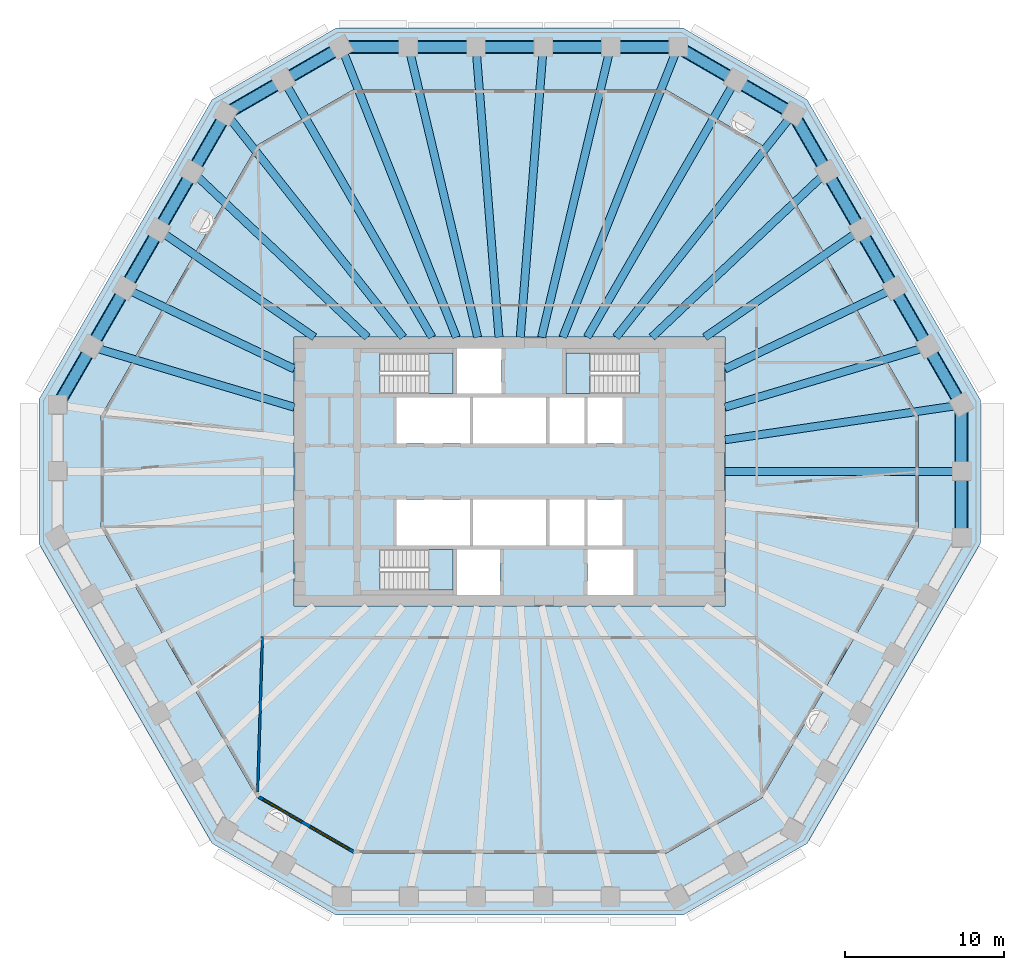
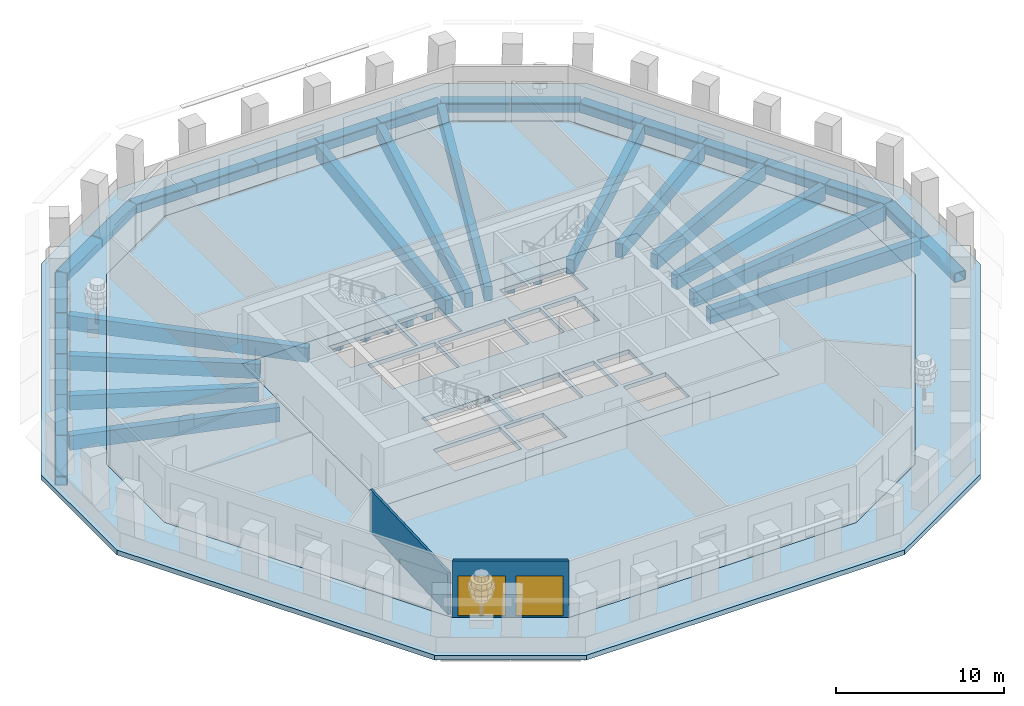
# One storey, part 2 of 12: 41 beams, 6 slabs, 2 walls, 2 windows, 2 openings, 3 elements without a shape of their own.
"""IFC4 building model written with IfcOpenShell, lengths in metres."""

from ifc_helpers import new_model, si_unit, direction, frame, frame_2d, origin, origin_2d, place, context, subcontext, project, spatial, polyline, rectangle, hollow_rectangle, outline, extrude, material, layer, layer_set, material_profile, profile_set, type_object, element, fill, aggregate, save


model = new_model("IFC4")

# Units and contexts
model_context = context("Model", 3, precision=1e-05, world=origin(), true_north=direction((0.0, 1.0)))
body_context = subcontext(model_context, "Body", "Model", "MODEL_VIEW")
ifc_project = project(units=[si_unit("LENGTHUNIT", "METRE"), si_unit("AREAUNIT", "SQUARE_METRE"), si_unit("VOLUMEUNIT", "CUBIC_METRE"), si_unit("PLANEANGLEUNIT", "RADIAN"), si_unit("MASSUNIT", "GRAM", prefix="KILO")], contexts=[model_context])

# Site, building, storey
site_placement = place(None, origin())
site = spatial("IfcSite", under=ifc_project, at=site_placement, CompositionType="ELEMENT")
building_placement = place(site_placement, origin())
building = spatial("IfcBuilding", under=site, at=building_placement, Name="Frailejon Research Tower", CompositionType="ELEMENT")
storey_placement = place(building_placement, frame((0.0, 0.0, 145.199951171875)))
storey = spatial("IfcBuildingStorey", under=building, at=storey_placement, Name="L31", CompositionType="ELEMENT", Elevation=145.199951171875)

# Beams
ifc_material_1 = material(Name="Concrete C60/75", Category="concrete")
ifc_material_profile_1 = material_profile(ifc_material_1, rectangle(XDim=0.5, YDim=1.050048828125, at=origin_2d()), Name="Girder 500x1050")
ifc_profile_set_1 = profile_set([ifc_material_profile_1], Name="Concrete C60/75")
beam_type_1 = type_object("IfcBeamType", Name="Girder 500x1050", PredefinedType="BEAM", material=ifc_profile_set_1)
beam_1_placement = place(storey_placement, frame((27.962890625, 0.0, -0.824951171875), z_axis=(-1.0, 0.0, 0.0), x_axis=(0.0, -1.0, 0.0)))
element("IfcBeam", 1, at=beam_1_placement, inside=storey, type_object=beam_type_1, Name="Girder 500x1050", PredefinedType="BEAM", context=body_context, shape_type="SweptSolid", body=[
    extrude(rectangle(XDim=0.5, YDim=1.050048828125, at=origin_2d()), origin(), (0.0, 0.0, 1.0), 14.412841796875),
])
beam_2_placement = place(storey_placement, frame((27.922607421875, 4.115478515625, -0.824951171875), z_axis=(-0.989311556104, -0.145817162771, 0.0), x_axis=(0.145817162771, -0.989311556104, 0.0)))
element("IfcBeam", 2, at=beam_2_placement, inside=storey, type_object=beam_type_1, Name="Girder 500x1050", PredefinedType="BEAM", context=body_context, shape_type="SweptSolid", body=[
    extrude(rectangle(XDim=0.5, YDim=1.050048828125, at=origin_2d()), origin(), (0.0, 0.0, 1.0), 14.52783203125),
])
beam_3_placement = place(storey_placement, frame((25.849609375, 7.718994140625, -0.824951171875), z_axis=(-0.95819037605, -0.286131444, 0.0), x_axis=(0.286131444, -0.95819037605, 0.0)))
element("IfcBeam", 3, at=beam_3_placement, inside=storey, type_object=beam_type_1, Name="Girder 500x1050", PredefinedType="BEAM", context=body_context, shape_type="SweptSolid", body=[
    extrude(rectangle(XDim=0.5, YDim=1.050048828125, at=origin_2d()), origin(), (0.0, 0.0, 1.0), 12.836181640625),
])
beam_4_placement = place(storey_placement, frame((23.77294921875, 11.3232421875, -0.824951171875), z_axis=(-0.902814682084, -0.43002982433, 0.0), x_axis=(0.43002982433, -0.902814682084, 0.0)))
element("IfcBeam", 4, at=beam_4_placement, inside=storey, type_object=beam_type_1, Name="Girder 500x1050", PredefinedType="BEAM", context=body_context, shape_type="SweptSolid", body=[
    extrude(rectangle(XDim=0.5, YDim=1.050048828125, at=origin_2d()), origin(), (0.0, 0.0, 1.0), 11.323486328125),
])
beam_5_placement = place(storey_placement, frame((21.692626953125, 14.92626953125, -0.824951171875), z_axis=(-0.823817400078, -0.566855264886, 0.0), x_axis=(0.566855264886, -0.823817400078, 0.0)))
element("IfcBeam", 5, at=beam_5_placement, inside=storey, type_object=beam_type_1, Name="Girder 500x1050", PredefinedType="BEAM", context=body_context, shape_type="SweptSolid", body=[
    extrude(rectangle(XDim=0.5, YDim=1.050048828125, at=origin_2d()), origin(), (0.0, 0.0, 1.0), 11.425048828125),
])
beam_6_placement = place(storey_placement, frame((19.609619140625, 18.527099609375, -0.824951171875), z_axis=(-0.726879787721, -0.686764715315, 0.0), x_axis=(0.686764715315, -0.726879787721, 0.0)))
element("IfcBeam", 6, at=beam_6_placement, inside=storey, type_object=beam_type_1, Name="Girder 500x1050", PredefinedType="BEAM", context=body_context, shape_type="SweptSolid", body=[
    extrude(rectangle(XDim=0.5, YDim=1.050048828125, at=origin_2d()), origin(), (0.0, 0.0, 1.0), 14.67333984375),
])
beam_7_placement = place(storey_placement, frame((17.549560546875, 22.154541015625, -0.824951171875), z_axis=(-0.620931113897, -0.783865136228, 0.0), x_axis=(0.783865136228, -0.620931113897, 0.0)))
element("IfcBeam", 7, at=beam_7_placement, inside=storey, type_object=beam_type_1, Name="Girder 500x1050", PredefinedType="BEAM", context=body_context, shape_type="SweptSolid", body=[
    extrude(rectangle(XDim=0.5, YDim=1.050048828125, at=origin_2d()), origin(), (0.0, 0.0, 1.0), 17.4833984375),
])
beam_8_placement = place(storey_placement, frame((13.9814453125, 24.216552734375, -0.824951171875), z_axis=(-0.499997180003, -0.866027031905, 0.0), x_axis=(0.866027031905, -0.499997180003, 0.0)))
element("IfcBeam", 8, at=beam_8_placement, inside=storey, type_object=beam_type_1, Name="Girder 500x1050", PredefinedType="BEAM", context=body_context, shape_type="SweptSolid", body=[
    extrude(rectangle(XDim=0.5, YDim=1.050048828125, at=origin_2d()), origin(), (0.0, 0.0, 1.0), 18.20556640625),
])
beam_9_placement = place(storey_placement, frame((10.3974609375, 26.239501953125, -0.824951171875), z_axis=(-0.368381637422, -0.929674657722, 0.0), x_axis=(0.929674657722, -0.368381637422, 0.0)))
element("IfcBeam", 9, at=beam_9_placement, inside=storey, type_object=beam_type_1, Name="Girder 500x1050", PredefinedType="BEAM", context=body_context, shape_type="SweptSolid", body=[
    extrude(rectangle(XDim=0.5, YDim=1.050048828125, at=origin_2d()), origin(), (0.0, 0.0, 1.0), 19.13525390625),
])
beam_10_placement = place(storey_placement, frame((6.239990234375, 26.245849609375, -0.824951171875), z_axis=(-0.231301735963, -0.972882062195, 0.0), x_axis=(0.972882062195, -0.231301735963, 0.0)))
element("IfcBeam", 10, at=beam_10_placement, inside=storey, type_object=beam_type_1, Name="Girder 500x1050", PredefinedType="BEAM", context=body_context, shape_type="SweptSolid", body=[
    extrude(rectangle(XDim=0.5, YDim=1.050048828125, at=origin_2d()), origin(), (0.0, 0.0, 1.0), 18.2919921875),
])
for number, where, z_axis, x_axis, name in (
    (11, (2.080322265625, 26.24951171875, -0.824951171875), (-0.079003932823, -0.996874304312, 0.0), (0.996874304312, -0.079003932823, 0.0), "Girder 500x1050"),
    (12, (-2.080322265625, 26.24951171875, -0.824951171875), (0.079003932823, -0.996874304312, 0.0), (0.996874304312, 0.079003932823, 0.0), "Girder 500x1050"),
):
    element("IfcBeam", number, at=place(storey_placement, frame(where, z_axis=z_axis, x_axis=x_axis)), inside=storey, type_object=beam_type_1, Name=name, PredefinedType="BEAM", context=body_context, shape_type="SweptSolid", body=[
        extrude(rectangle(XDim=0.5, YDim=1.050048828125, at=origin_2d()), origin(), (0.0, 0.0, 1.0), 17.85546875),
    ])
beam_11_placement = place(storey_placement, frame((-6.239990234375, 26.245849609375, -0.824951171875), z_axis=(0.231301735963, -0.972882062195, 0.0), x_axis=(0.972882062195, 0.231301735963, 0.0)))
element("IfcBeam", 13, at=beam_11_placement, inside=storey, type_object=beam_type_1, Name="Girder 500x1050", PredefinedType="BEAM", context=body_context, shape_type="SweptSolid", body=[
    extrude(rectangle(XDim=0.5, YDim=1.050048828125, at=origin_2d()), origin(), (0.0, 0.0, 1.0), 18.2919921875),
])
beam_12_placement = place(storey_placement, frame((-10.41162109375, 26.275634765625, -0.824951171875), z_axis=(0.368374542626, -0.929677468989, 0.0), x_axis=(0.929677468989, 0.368374542626, 0.0)))
element("IfcBeam", 14, at=beam_12_placement, inside=storey, type_object=beam_type_1, Name="Girder 500x1050", PredefinedType="BEAM", context=body_context, shape_type="SweptSolid", body=[
    extrude(rectangle(XDim=0.5, YDim=1.050048828125, at=origin_2d()), origin(), (0.0, 0.0, 1.0), 19.174072265625),
])
beam_13_placement = place(storey_placement, frame((-13.9814453125, 24.216552734375, -0.824951171875), z_axis=(0.499997180003, -0.866027031905, 0.0), x_axis=(0.866027031905, 0.499997180003, 0.0)))
element("IfcBeam", 15, at=beam_13_placement, inside=storey, type_object=beam_type_1, Name="Girder 500x1050", PredefinedType="BEAM", context=body_context, shape_type="SweptSolid", body=[
    extrude(rectangle(XDim=0.5, YDim=1.050048828125, at=origin_2d()), origin(), (0.0, 0.0, 1.0), 18.20556640625),
])
beam_14_placement = place(storey_placement, frame((-17.525390625, 22.1240234375, -0.824951171875), z_axis=(0.62093126464, -0.783865016819, 0.0), x_axis=(0.783865016819, 0.62093126464, 0.0)))
element("IfcBeam", 16, at=beam_14_placement, inside=storey, type_object=beam_type_1, Name="Girder 500x1050", PredefinedType="BEAM", context=body_context, shape_type="SweptSolid", body=[
    extrude(rectangle(XDim=0.5, YDim=1.050048828125, at=origin_2d()), origin(), (0.0, 0.0, 1.0), 17.4443359375),
])
beam_15_placement = place(storey_placement, frame((-19.609619140625, 18.527099609375, -0.824951171875), z_axis=(0.726879787721, -0.686764715315, 0.0), x_axis=(0.686764715315, 0.726879787721, 0.0)))
element("IfcBeam", 17, at=beam_15_placement, inside=storey, type_object=beam_type_1, Name="Girder 500x1050", PredefinedType="BEAM", context=body_context, shape_type="SweptSolid", body=[
    extrude(rectangle(XDim=0.5, YDim=1.050048828125, at=origin_2d()), origin(), (0.0, 0.0, 1.0), 14.67333984375),
])
beam_16_placement = place(storey_placement, frame((-21.692626953125, 14.92626953125, -0.824951171875), z_axis=(0.823817400078, -0.566855264886, 0.0), x_axis=(0.566855264886, 0.823817400078, 0.0)))
element("IfcBeam", 18, at=beam_16_placement, inside=storey, type_object=beam_type_1, Name="Girder 500x1050", PredefinedType="BEAM", context=body_context, shape_type="SweptSolid", body=[
    extrude(rectangle(XDim=0.5, YDim=1.050048828125, at=origin_2d()), origin(), (0.0, 0.0, 1.0), 11.425048828125),
])
beam_17_placement = place(storey_placement, frame((-23.77294921875, 11.3232421875, -0.824951171875), z_axis=(0.902814682084, -0.43002982433, 0.0), x_axis=(0.43002982433, 0.902814682084, 0.0)))
element("IfcBeam", 19, at=beam_17_placement, inside=storey, type_object=beam_type_1, Name="Girder 500x1050", PredefinedType="BEAM", context=body_context, shape_type="SweptSolid", body=[
    extrude(rectangle(XDim=0.5, YDim=1.050048828125, at=origin_2d()), origin(), (0.0, 0.0, 1.0), 11.323486328125),
])
beam_18_placement = place(storey_placement, frame((-25.849609375, 7.718994140625, -0.824951171875), z_axis=(0.95819037605, -0.286131444, 0.0), x_axis=(0.286131444, 0.95819037605, 0.0)))
element("IfcBeam", 20, at=beam_18_placement, inside=storey, type_object=beam_type_1, Name="Girder 500x1050", PredefinedType="BEAM", context=body_context, shape_type="SweptSolid", body=[
    extrude(rectangle(XDim=0.5, YDim=1.050048828125, at=origin_2d()), origin(), (0.0, 0.0, 1.0), 12.836181640625),
])
ifc_material_2 = material(Name="Steel S355", Category="steel")
ifc_material_profile_2 = material_profile(ifc_material_2, hollow_rectangle(XDim=0.800048828125, YDim=0.699951171875, WallThickness=0.050048828125, InnerFilletRadius=0.050048828125, OuterFilletRadius=0.10009765625, at=origin_2d()), Name="Ring chord")
ifc_profile_set_2 = profile_set([ifc_material_profile_2], Name="Steel S355")
beam_type_2 = type_object("IfcBeamType", Name="Ring chord", PredefinedType="BEAM", material=ifc_profile_set_2)
for number, where, z_axis, x_axis, name in (
    (21, (28.412841796875, -4.16748046875, -0.699951171875), (0.0, 1.0, 0.0), (-1.0, 0.0, 0.0), "Ring chord"),
    (22, (28.412841796875, 0.02001953125, -0.699951171875), (0.0, 1.0, 0.0), (-1.0, 0.0, 0.0), "Ring chord"),
):
    element("IfcBeam", number, at=place(storey_placement, frame(where, z_axis=z_axis, x_axis=x_axis)), inside=storey, type_object=beam_type_2, Name=name, PredefinedType="BEAM", context=body_context, shape_type="SweptSolid", body=[
        extrude(hollow_rectangle(XDim=0.800048828125, YDim=0.699951171875, WallThickness=0.050048828125, InnerFilletRadius=0.050048828125, OuterFilletRadius=0.10009765625, at=origin_2d()), origin(), (0.0, 0.0, 1.0), 4.1474609375),
    ])
for number, where, z_axis, x_axis, name in (
    (23, (28.40283203125, 4.204833984375, -0.699951171875), (-0.499991329354, 0.866030409726, 0.0), (-0.866030409726, -0.499991329354, 0.0), "Ring chord"),
    (24, (26.286865234375, 7.869873046875, -0.699951171875), (-0.499991329354, 0.866030409726, 0.0), (-0.866030409726, -0.499991329354, 0.0), "Ring chord"),
    (25, (24.1708984375, 11.534912109375, -0.699951171875), (-0.499991329354, 0.866030409726, 0.0), (-0.866030409726, -0.499991329354, 0.0), "Ring chord"),
    (26, (22.054931640625, 15.19970703125, -0.699951171875), (-0.499991329354, 0.866030409726, 0.0), (-0.866030409726, -0.499991329354, 0.0), "Ring chord"),
    (27, (19.93896484375, 18.86474609375, -0.699951171875), (-0.499991329354, 0.866030409726, 0.0), (-0.866030409726, -0.499991329354, 0.0), "Ring chord"),
):
    element("IfcBeam", number, at=place(storey_placement, frame(where, z_axis=z_axis, x_axis=x_axis)), inside=storey, type_object=beam_type_2, Name=name, PredefinedType="BEAM", context=body_context, shape_type="SweptSolid", body=[
        extrude(hollow_rectangle(XDim=0.800048828125, YDim=0.699951171875, WallThickness=0.050048828125, InnerFilletRadius=0.050048828125, OuterFilletRadius=0.10009765625, at=origin_2d()), origin(), (0.0, 0.0, 1.0), 4.19189453125),
    ])
for number, where, z_axis, x_axis, name in (
    (28, (17.815673828125, 22.5224609375, -0.699951171875), (-0.866039536849, 0.499975520016, 0.0), (-0.499975520016, -0.866039536849, 0.0), "Ring chord"),
    (29, (14.189208984375, 24.6162109375, -0.699951171875), (-0.866039536849, 0.499975520016, 0.0), (-0.499975520016, -0.866039536849, 0.0), "Ring chord"),
):
    element("IfcBeam", number, at=place(storey_placement, frame(where, z_axis=z_axis, x_axis=x_axis)), inside=storey, type_object=beam_type_2, Name=name, PredefinedType="BEAM", context=body_context, shape_type="SweptSolid", body=[
        extrude(hollow_rectangle(XDim=0.800048828125, YDim=0.699951171875, WallThickness=0.050048828125, InnerFilletRadius=0.050048828125, OuterFilletRadius=0.10009765625, at=origin_2d()), origin(), (0.0, 0.0, 1.0), 4.147705078125),
    ])
for number, where, z_axis, x_axis, name in (
    (30, (10.559814453125, 26.699951171875, -0.699951171875), (-1.0, 0.0, 0.0), (0.0, -1.0, 0.0), "Ring chord"),
    (31, (6.327880859375, 26.699951171875, -0.699951171875), (-1.0, 0.0, 0.0), (0.0, -1.0, 0.0), "Ring chord"),
    (32, (2.095947265625, 26.699951171875, -0.699951171875), (-1.0, 0.0, 0.0), (0.0, -1.0, 0.0), "Ring chord"),
    (33, (-2.135986328125, 26.699951171875, -0.699951171875), (-1.0, 0.0, 0.0), (0.0, -1.0, 0.0), "Ring chord"),
    (34, (-6.367919921875, 26.699951171875, -0.699951171875), (-1.0, 0.0, 0.0), (0.0, -1.0, 0.0), "Ring chord"),
):
    element("IfcBeam", number, at=place(storey_placement, frame(where, z_axis=z_axis, x_axis=x_axis)), inside=storey, type_object=beam_type_2, Name=name, PredefinedType="BEAM", context=body_context, shape_type="SweptSolid", body=[
        extrude(hollow_rectangle(XDim=0.800048828125, YDim=0.699951171875, WallThickness=0.050048828125, InnerFilletRadius=0.050048828125, OuterFilletRadius=0.10009765625, at=origin_2d()), origin(), (0.0, 0.0, 1.0), 4.19189453125),
    ])
for number, where, z_axis, x_axis, name in (
    (35, (-10.59716796875, 26.68994140625, -0.699951171875), (-0.866039536849, -0.499975520016, 0.0), (0.499975520016, -0.866039536849, 0.0), "Ring chord"),
    (36, (-14.2236328125, 24.59619140625, -0.699951171875), (-0.866039536849, -0.499975520016, 0.0), (0.499975520016, -0.866039536849, 0.0), "Ring chord"),
):
    element("IfcBeam", number, at=place(storey_placement, frame(where, z_axis=z_axis, x_axis=x_axis)), inside=storey, type_object=beam_type_2, Name=name, PredefinedType="BEAM", context=body_context, shape_type="SweptSolid", body=[
        extrude(hollow_rectangle(XDim=0.800048828125, YDim=0.699951171875, WallThickness=0.050048828125, InnerFilletRadius=0.050048828125, OuterFilletRadius=0.10009765625, at=origin_2d()), origin(), (0.0, 0.0, 1.0), 4.147705078125),
    ])
for number, where, z_axis, x_axis, name in (
    (37, (-17.843017578125, 22.4951171875, -0.699951171875), (-0.499991329354, -0.866030409726, 0.0), (0.866030409726, -0.499991329354, 0.0), "Ring chord"),
    (38, (-19.958984375, 18.830078125, -0.699951171875), (-0.499991329354, -0.866030409726, 0.0), (0.866030409726, -0.499991329354, 0.0), "Ring chord"),
    (39, (-22.074951171875, 15.165283203125, -0.699951171875), (-0.499991329354, -0.866030409726, 0.0), (0.866030409726, -0.499991329354, 0.0), "Ring chord"),
    (40, (-24.19091796875, 11.500244140625, -0.699951171875), (-0.499991329354, -0.866030409726, 0.0), (0.866030409726, -0.499991329354, 0.0), "Ring chord"),
    (41, (-26.306884765625, 7.835205078125, -0.699951171875), (-0.499991329354, -0.866030409726, 0.0), (0.866030409726, -0.499991329354, 0.0), "Ring chord"),
):
    element("IfcBeam", number, at=place(storey_placement, frame(where, z_axis=z_axis, x_axis=x_axis)), inside=storey, type_object=beam_type_2, Name=name, PredefinedType="BEAM", context=body_context, shape_type="SweptSolid", body=[
        extrude(hollow_rectangle(XDim=0.800048828125, YDim=0.699951171875, WallThickness=0.050048828125, InnerFilletRadius=0.050048828125, OuterFilletRadius=0.10009765625, at=origin_2d()), origin(), (0.0, 0.0, 1.0), 4.19189453125),
    ])

# Slabs
ifc_material_3 = material(Name="Concrete C60/75", Category="concrete")
ifc_layer_1 = layer(ifc_material_3, 0.300048828125)
ifc_layer_set_1 = layer_set([ifc_layer_1], Name="Core floor slab 300 C60/75")
slab_type_1 = type_object("IfcSlabType", Name="Core floor slab 300 C60/75", PredefinedType="FLOOR", material=ifc_layer_set_1)
slab_1_placement = place(storey_placement, frame((0.0, 0.0, -0.300048828125)))
element("IfcSlab", 42, at=slab_1_placement, inside=storey, type_object=slab_type_1, Name="Core floor slab", PredefinedType="FLOOR", context=body_context, shape_type="SweptSolid", body=[
    extrude(outline(polyline([(13.550048828125, -8.449951171875), (13.550048828125, 8.449951171875), (-13.550048828125, 8.449951171875), (-13.550048828125, -8.449951171875), (13.550048828125, -8.449951171875)]), holes=[polyline([(-2.5, 1.75), (-2.5, 4.64990234375), (-7.10009765625, 4.64990234375), (-7.10009765625, 1.75), (-2.5, 1.75)]), polyline([(2.300048828125, 1.75), (2.300048828125, 4.64990234375), (-2.300048828125, 4.64990234375), (-2.300048828125, 1.75), (2.300048828125, 1.75)]), polyline([(4.699951171875, 1.75), (4.699951171875, 4.64990234375), (2.5, 4.64990234375), (2.5, 1.75), (4.699951171875, 1.75)]), polyline([(7.10009765625, 1.75), (7.10009765625, 4.64990234375), (4.89990234375, 4.64990234375), (4.89990234375, 1.75), (7.10009765625, 1.75)]), polyline([(-2.5, -4.64990234375), (-2.5, -1.75), (-7.10009765625, -1.75), (-7.10009765625, -4.64990234375), (-2.5, -4.64990234375)]), polyline([(2.300048828125, -4.64990234375), (2.300048828125, -1.75), (-2.300048828125, -1.75), (-2.300048828125, -4.64990234375), (2.300048828125, -4.64990234375)]), polyline([(4.699951171875, -4.64990234375), (4.699951171875, -1.75), (2.5, -1.75), (2.5, -4.64990234375), (4.699951171875, -4.64990234375)]), polyline([(7.10009765625, -4.64990234375), (7.10009765625, -1.75), (4.89990234375, -1.75), (4.89990234375, -4.64990234375), (7.10009765625, -4.64990234375)]), polyline([(-8.14697265625, 4.89990234375), (-3.550048828125, 4.89990234375), (-3.550048828125, 7.449951171875), (-8.14697265625, 7.449951171875), (-8.14697265625, 4.89990234375)]), polyline([(-8.14697265625, -7.449951171875), (-3.550048828125, -7.449951171875), (-3.550048828125, -4.89990234375), (-8.14697265625, -4.89990234375), (-8.14697265625, -7.449951171875)]), polyline([(8.14697265625, 7.449951171875), (3.550048828125, 7.449951171875), (3.550048828125, 4.89990234375), (8.14697265625, 4.89990234375), (8.14697265625, 7.449951171875)]), polyline([(-0.60009765625, -7.75), (-0.60009765625, -4.89990234375), (-3.300048828125, -4.89990234375), (-3.300048828125, -7.75), (-0.60009765625, -7.75)]), polyline([(7.800048828125, -7.75), (7.800048828125, -4.89990234375), (4.89990234375, -4.89990234375), (4.89990234375, -7.75), (7.800048828125, -7.75)]), polyline([(-0.5, 4.89990234375), (-0.5, 7.75), (-3.300048828125, 7.75), (-3.300048828125, 4.89990234375), (-0.5, 4.89990234375)])]), origin(), (0.0, 0.0, 1.0), 0.300048828125),
])
ifc_material_4 = material(Name="Concrete C40/50", Category="concrete")
ifc_layer_2 = layer(ifc_material_4, 0.35009765625)
ifc_layer_set_2 = layer_set([ifc_layer_2], Name="Loggia slab 350")
slab_type_2 = type_object("IfcSlabType", Name="Loggia slab 350", PredefinedType="USERDEFINED", material=ifc_layer_set_2)
slab_2_placement = place(storey_placement, frame((0.0, 0.0, -0.349853515625)))
element("IfcSlab", 43, at=slab_2_placement, inside=storey, type_object=slab_type_2, Name="Loggia slab L31", ObjectType="LOGGIA", PredefinedType="USERDEFINED", context=body_context, shape_type="SweptSolid", body=[
    extrude(outline(polyline([(18.71142578125, -23.390869140625), (10.9013671875, -27.89990234375), (-10.9013671875, -27.89990234375), (-18.71142578125, -23.390869140625), (-29.61279296875, -4.509033203125), (-29.61279296875, 4.509033203125), (-18.71142578125, 23.390869140625), (-10.9013671875, 27.89990234375), (10.9013671875, 27.89990234375), (18.71142578125, 23.390869140625), (29.61279296875, 4.509033203125), (29.61279296875, -4.509033203125), (18.71142578125, -23.390869140625)]), holes=[polyline([(25.712890625, 3.464111328125), (15.8564453125, 20.535888671875), (9.8564453125, 24.0), (-9.8564453125, 24.0), (-15.8564453125, 20.535888671875), (-25.712890625, 3.464111328125), (-25.712890625, -3.464111328125), (-15.8564453125, -20.535888671875), (-9.8564453125, -24.0), (9.8564453125, -24.0), (15.8564453125, -20.535888671875), (25.712890625, -3.464111328125), (25.712890625, 3.464111328125)])]), origin(), (0.0, 0.0, 1.0), 0.349853515625),
])
ifc_material_5 = material(Name="Concrete C40/50", Category="concrete")
ifc_layer_3 = layer(ifc_material_5, 0.300048828125)
ifc_layer_set_3 = layer_set([ifc_layer_3], Name="Slab typical 300")
slab_type_3 = type_object("IfcSlabType", Name="Slab typical 300", PredefinedType="FLOOR", material=ifc_layer_set_3)
slab_3_placement = place(storey_placement, frame((0.0, 0.0, -0.300048828125)))
element("IfcSlab", 44, at=slab_3_placement, inside=storey, type_object=slab_type_3, Name="Floor slab L31", PredefinedType="FLOOR", context=body_context, shape_type="SweptSolid", body=[
    extrude(outline(polyline([(25.712890625, -3.464111328125), (25.712890625, 3.464111328125), (15.8564453125, 20.535888671875), (9.8564453125, 24.0), (-9.8564453125, 24.0), (-15.8564453125, 20.535888671875), (-25.712890625, 3.464111328125), (-25.712890625, -3.464111328125), (-15.8564453125, -20.535888671875), (-9.8564453125, -24.0), (9.8564453125, -24.0), (15.8564453125, -20.535888671875), (25.712890625, -3.464111328125)]), holes=[polyline([(13.550048828125, -8.449951171875), (-13.550048828125, -8.449951171875), (-13.550048828125, 8.449951171875), (13.550048828125, 8.449951171875), (13.550048828125, -8.449951171875)])]), origin(), (0.0, 0.0, 1.0), 0.300048828125),
])

# Stair, slab
ifc_material_6 = material(Name="Concrete C50/60", Category="concrete")
stair_type = type_object("IfcStairType", Name="Exit stair 24 risers", PredefinedType="HALF_TURN_STAIR", material=ifc_material_6)
stair_1_placement = place(storey_placement, origin())
stair_1 = element("IfcStair", 45, at=stair_1_placement, inside=storey, type_object=stair_type, Name="L31 Exit stair ST1", PredefinedType="HALF_TURN_STAIR")
ifc_material_7 = material(Name="Concrete C50/60", Category="concrete")
ifc_layer_4 = layer(ifc_material_7, 0.199951171875)
ifc_layer_set_4 = layer_set([ifc_layer_4], Name="Stair landing slab 200")
slab_type_4 = type_object("IfcSlabType", Name="Stair landing slab 200", PredefinedType="LANDING", material=ifc_layer_set_4)
slab_4_placement = place(storey_placement, frame((0.0, 0.0, 2.0)))
slab_4 = element("IfcSlab", 46, at=slab_4_placement, type_object=slab_type_4, Name="ST1 landing 1", PredefinedType="LANDING", context=body_context, shape_type="SweptSolid", body=[
    extrude(outline(polyline([(-5.070068359375, 4.89990234375), (-3.550048828125, 4.89990234375), (-3.550048828125, 7.449951171875), (-5.070068359375, 7.449951171875), (-5.070068359375, 4.89990234375)])), origin(), (0.0, 0.0, 1.0), 0.199951171875),
])
aggregate(stair_1, [slab_4])

stair_2_placement = place(storey_placement, origin())
stair_2 = element("IfcStair", 47, at=stair_2_placement, inside=storey, type_object=stair_type, Name="L31 Exit stair ST2", PredefinedType="HALF_TURN_STAIR")
slab_5_placement = place(storey_placement, frame((0.0, 0.0, 2.0)))
slab_5 = element("IfcSlab", 48, at=slab_5_placement, type_object=slab_type_4, Name="ST2 landing 1", PredefinedType="LANDING", context=body_context, shape_type="SweptSolid", body=[
    extrude(outline(polyline([(-5.070068359375, -7.449951171875), (-3.550048828125, -7.449951171875), (-3.550048828125, -4.89990234375), (-5.070068359375, -4.89990234375), (-5.070068359375, -7.449951171875)])), origin(), (0.0, 0.0, 1.0), 0.199951171875),
])
aggregate(stair_2, [slab_5])

stair_3_placement = place(storey_placement, origin())
stair_3 = element("IfcStair", 49, at=stair_3_placement, inside=storey, type_object=stair_type, Name="L31 Exit stair ST3", PredefinedType="HALF_TURN_STAIR")
slab_6_placement = place(storey_placement, frame((0.0, 0.0, 2.0)))
slab_6 = element("IfcSlab", 50, at=slab_6_placement, type_object=slab_type_4, Name="ST3 landing 1", PredefinedType="LANDING", context=body_context, shape_type="SweptSolid", body=[
    extrude(outline(polyline([(5.070068359375, 7.449951171875), (3.550048828125, 7.449951171875), (3.550048828125, 4.89990234375), (5.070068359375, 4.89990234375), (5.070068359375, 7.449951171875)])), origin(), (0.0, 0.0, 1.0), 0.199951171875),
])
aggregate(stair_3, [slab_6])

# Wall
ifc_material_8 = material(Name="Gypsum board and masonry partition", Category="masonry")
ifc_layer_5 = layer(ifc_material_8, 0.14990234375)
ifc_layer_set_5 = layer_set([ifc_layer_5], Name="Laboratory partition, blockwork 150")
wall_type_1 = type_object("IfcWallType", Name="Laboratory partition, blockwork 150", PredefinedType="PARTITIONING", material=ifc_layer_set_5)
wall_1_placement = place(storey_placement, frame((-15.844970703125, -20.156005859375, 0.0), z_axis=(0.0, 0.0, 1.0), x_axis=(0.030388076232, 0.999538175771, 0.0)))
element("IfcWall", 51, at=wall_1_placement, inside=storey, type_object=wall_type_1, Name="T:IW:L31:017", PredefinedType="PARTITIONING", context=body_context, shape_type="SweptSolid", body=[
    extrude(rectangle(XDim=9.78564453125, YDim=0.14990234375, at=frame_2d((4.892822265625, 0.0))), origin(), (0.0, 0.0, 1.0), 3.050048828125),
])

# Wall, openings, windows
ifc_material_9 = material(Name="Concrete C40/50 precast window wall panel", Category="concrete")
ifc_layer_6 = layer(ifc_material_9, 0.199951171875)
ifc_layer_set_6 = layer_set([ifc_layer_6], Name="Window wall 200")
wall_type_2 = type_object("IfcWallType", Name="Window wall 200", PredefinedType="SOLIDWALL", material=ifc_layer_set_6)
wall_2_placement = place(storey_placement, frame((-15.783203125, -20.462646484375, 0.0), z_axis=(0.0, 0.0, 1.0), x_axis=(0.866029458321, -0.49999297727, 0.0)))
wall_2 = element("IfcWall", 52, at=wall_2_placement, inside=storey, type_object=wall_type_2, Name="Exterior wall L31", PredefinedType="SOLIDWALL", context=body_context, shape_type="SweptSolid", body=[
    extrude(outline(polyline([(-0.02685546875, -0.10009765625), (1.1279296875, -0.10009765625), (2.282470703125, -0.10009765625), (3.437255859375, -0.10009765625), (4.592041015625, -0.10009765625), (5.74658203125, -0.10009765625), (6.9013671875, -0.10009765625), (6.84765625, 0.10009765625), (5.7109375, 0.10009765625), (4.573974609375, 0.10009765625), (3.437255859375, 0.10009765625), (2.300537109375, 0.10009765625), (1.16357421875, 0.10009765625), (0.02685546875, 0.10009765625), (-0.02685546875, -0.10009765625)])), origin(), (0.0, 0.0, 1.0), 4.10009765625),
])
opening_1_placement = place(wall_2_placement, frame((0.318603515625, 0.0, 0.10009765625)))
opening_1 = element("IfcOpeningElement", 53, at=opening_1_placement, cuts=wall_2, Name="Opening W3", PredefinedType="OPENING", context=body_context, shape_type="SweptSolid", body=[
    extrude(rectangle(XDim=2.800048828125, YDim=2.89990234375, at=frame_2d((1.39990234375, 1.449951171875))), frame((0.0, 0.10986328125, 0.0), z_axis=(0.0, -1.0, 0.0), x_axis=(1.0, 0.0, 0.0)), (0.0, 0.0, 1.0), 0.219970703125),
])
opening_2_placement = place(wall_2_placement, frame((3.756103515625, 0.0, 0.10009765625)))
opening_2 = element("IfcOpeningElement", 54, at=opening_2_placement, cuts=wall_2, Name="Opening W3", PredefinedType="OPENING", context=body_context, shape_type="SweptSolid", body=[
    extrude(rectangle(XDim=2.800048828125, YDim=2.89990234375, at=frame_2d((1.39990234375, 1.449951171875))), frame((0.0, 0.10986328125, 0.0), z_axis=(0.0, -1.0, 0.0), x_axis=(1.0, 0.0, 0.0)), (0.0, 0.0, 1.0), 0.219970703125),
])
ifc_material_10 = material(Name="Aluminium framed double glazing", Category="aluminium")
window_type = type_object("IfcWindowType", Name="Window 2800x2900", PartitioningType="SINGLE_PANEL", PredefinedType="WINDOW", material=ifc_material_10)
window_1_placement = place(opening_1_placement, origin())
window_1 = element("IfcWindow", 55, at=window_1_placement, inside=storey, type_object=window_type, Name="Window L31", OverallHeight=2.89990234375, OverallWidth=2.800048828125, PartitioningType="SINGLE_PANEL", PredefinedType="WINDOW", context=body_context, shape_type="SweptSolid", body=[
    extrude(rectangle(XDim=2.800048828125, YDim=2.89990234375, at=frame_2d((1.39990234375, 1.449951171875))), frame((0.0, 0.030029296875, 0.0), z_axis=(0.0, -1.0, 0.0), x_axis=(1.0, 0.0, 0.0)), (0.0, 0.0, 1.0), 0.06005859375),
])
fill(opening_1, window_1)
window_2_placement = place(opening_2_placement, origin())
window_2 = element("IfcWindow", 56, at=window_2_placement, inside=storey, type_object=window_type, Name="Window L31", OverallHeight=2.89990234375, OverallWidth=2.800048828125, PartitioningType="SINGLE_PANEL", PredefinedType="WINDOW", context=body_context, shape_type="SweptSolid", body=[
    extrude(rectangle(XDim=2.800048828125, YDim=2.89990234375, at=frame_2d((1.39990234375, 1.449951171875))), frame((0.0, 0.030029296875, 0.0), z_axis=(0.0, -1.0, 0.0), x_axis=(1.0, 0.0, 0.0)), (0.0, 0.0, 1.0), 0.06005859375),
])
fill(opening_2, window_2)

save(model, "model.ifc")
